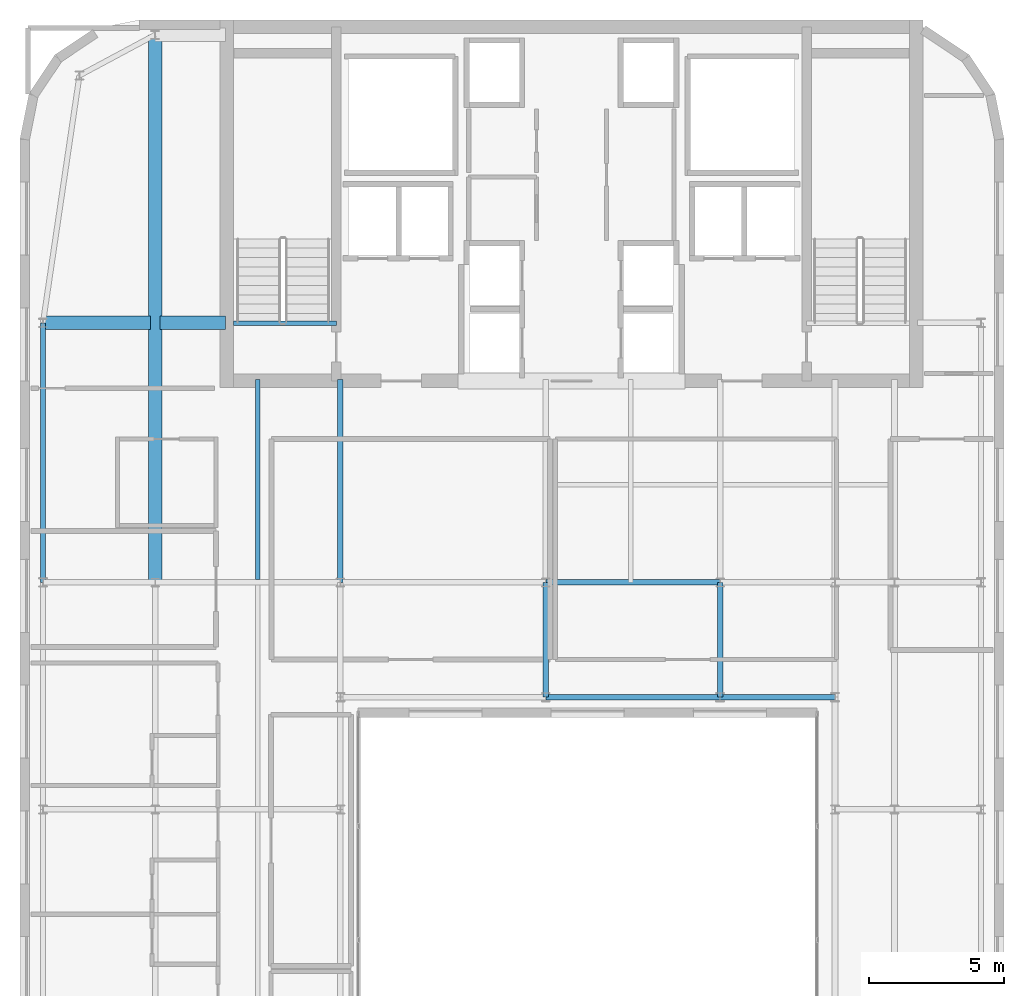
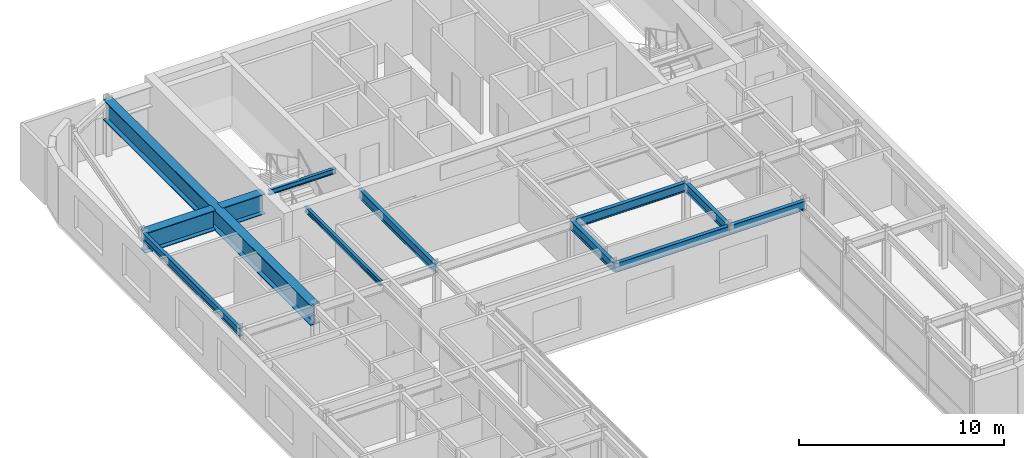
# One storey, part 10 of 18: 12 beams.
"""IFC4 building model written with IfcOpenShell, lengths in metres."""

from ifc_helpers import new_model, si_unit, direction, frame, origin, origin_2d, place, context, subcontext, project, spatial, i_section, extrude, source, transform, mapped, material, material_profile, profile_set, type_object, type_shapes, element, save


model = new_model("IFC4")

# Units and contexts
model_context = context("Model", 3, precision=1e-05, world=origin(), true_north=direction((0.0, 1.0)))
body_context = subcontext(model_context, "Body", "Model", "MODEL_VIEW")
ifc_project = project(units=[si_unit("LENGTHUNIT", "METRE"), si_unit("AREAUNIT", "SQUARE_METRE"), si_unit("VOLUMEUNIT", "CUBIC_METRE"), si_unit("PLANEANGLEUNIT", "RADIAN"), si_unit("MASSUNIT", "GRAM", prefix="KILO")], contexts=[model_context])

# Site, building, storey
site_placement = place(None, origin())
site = spatial("IfcSite", under=ifc_project, at=site_placement, CompositionType="ELEMENT")
building_placement = place(site_placement, origin())
building = spatial("IfcBuilding", under=site, at=building_placement, Name="Tolvann Quenvar Hotel", CompositionType="ELEMENT")
storey_placement = place(building_placement, frame((0.0, 0.0, 245.199951171875)))
storey = spatial("IfcBuildingStorey", under=building, at=storey_placement, Name="L65", CompositionType="ELEMENT", Elevation=245.199951171875)

# Beams
ifc_material = material(Name="Steel Grade 350", Category="steel")
ifc_material_profile_1 = material_profile(ifc_material, i_section(OverallWidth=0.5, OverallDepth=1.199951171875, WebThickness=0.01611328125, FlangeThickness=0.0400390625, at=origin_2d()), Name="1200WB455")
ifc_profile_set_1 = profile_set([ifc_material_profile_1], Name="Steel Grade 350")
beam_type_1 = type_object("IfcBeamType", Name="BM_TG_1200WB455", PredefinedType="USERDEFINED", material=ifc_profile_set_1)
shared_shape_1 = source(origin(), body_context, "Body", "SweptSolid", [
    extrude(i_section(OverallWidth=0.5, OverallDepth=1.199951171875, WebThickness=0.01611328125, FlangeThickness=0.0400390625, at=origin_2d()), origin(), (0.0, 0.0, 1.0), 2.419921875),
])
beam_1_placement = place(storey_placement, frame((7.780029296875, 34.0, 2.77001953125), z_axis=(1.0, 0.0, 0.0), x_axis=(0.0, 1.0, 0.0)))
element("IfcBeam", 1, at=beam_1_placement, inside=storey, type_object=beam_type_1, Name="BM-L65-CTW-MID2", ObjectType="TRANSFER GIRDER", PredefinedType="USERDEFINED", context=body_context, shape_type="MappedRepresentation", body=[
    mapped(shared_shape_1, transform((0.0, 0.0, 0.0), x_axis=(1.0, 0.0, 0.0), y_axis=(0.0, 1.0, 0.0), z_axis=(0.0, 0.0, 1.0), scale=1.0)),
])
ifc_material_profile_2 = material_profile(ifc_material, i_section(OverallWidth=0.166015625, OverallDepth=0.306884765625, WebThickness=0.006591796875, FlangeThickness=0.01171875, FilletRadius=0.011474609375, at=origin_2d()), Name="310UB46")
ifc_profile_set_2 = profile_set([ifc_material_profile_2], Name="Steel Grade 350")
beam_type_2 = type_object("IfcBeamType", Name="BM_JOIST_310UB46", PredefinedType="JOIST", material=ifc_profile_set_2)
shared_shape_2 = source(origin(), body_context, "Body", "SweptSolid", [
    extrude(i_section(OverallWidth=0.166015625, OverallDepth=0.306884765625, WebThickness=0.006591796875, FlangeThickness=0.01171875, FilletRadius=0.011474609375, at=origin_2d()), origin(), (0.0, 0.0, 1.0), 3.800048828125),
])
beam_2_placement = place(storey_placement, frame((10.5, 33.97998046875, 3.216552734375), z_axis=(1.0, 0.0, 0.0), x_axis=(0.0, 1.0, 0.0)))
element("IfcBeam", 2, at=beam_2_placement, inside=storey, type_object=beam_type_2, Name="BM-HDR-STC1-L66", PredefinedType="JOIST", context=body_context, shape_type="MappedRepresentation", body=[
    mapped(shared_shape_2, transform((0.0, 0.0, 0.0), x_axis=(1.0, 0.0, 0.0), y_axis=(0.0, 1.0, 0.0), z_axis=(0.0, 0.0, 1.0), scale=1.0)),
])
shared_shape_3 = source(origin(), body_context, "Body", "SweptSolid", [
    extrude(i_section(OverallWidth=0.5, OverallDepth=1.199951171875, WebThickness=0.01611328125, FlangeThickness=0.0400390625, at=origin_2d()), origin(), (0.0, 0.0, 1.0), 3.969970703125),
])
beam_3_placement = place(storey_placement, frame((3.449951171875, 34.0, 2.77001953125), z_axis=(1.0, 0.0, 0.0), x_axis=(0.0, 1.0, 0.0)))
element("IfcBeam", 3, at=beam_3_placement, inside=storey, type_object=beam_type_1, Name="BM-L65-CTW-MID1", ObjectType="TRANSFER GIRDER", PredefinedType="USERDEFINED", context=body_context, shape_type="MappedRepresentation", body=[
    mapped(shared_shape_3, transform((0.0, 0.0, 0.0), x_axis=(1.0, 0.0, 0.0), y_axis=(0.0, 1.0, 0.0), z_axis=(0.0, 0.0, 1.0), scale=1.0)),
])
ifc_material_profile_3 = material_profile(ifc_material, i_section(OverallWidth=0.19091796875, OverallDepth=0.4599609375, WebThickness=0.010009765625, FlangeThickness=0.01611328125, FilletRadius=0.011474609375, at=origin_2d()), Name="460UB82")
ifc_profile_set_3 = profile_set([ifc_material_profile_3], Name="Steel Grade 350")
beam_type_3 = type_object("IfcBeamType", Name="BM_SPAND_460UB82", PredefinedType="SPANDREL", material=ifc_profile_set_3)
shared_shape_4 = source(origin(), body_context, "Body", "SweptSolid", [
    extrude(i_section(OverallWidth=0.19091796875, OverallDepth=0.4599609375, WebThickness=0.010009765625, FlangeThickness=0.01611328125, FilletRadius=0.011474609375, at=origin_2d()), origin(), (0.0, 0.0, 1.0), 9.60009765625),
])
type_shapes(beam_type_3, [shared_shape_4])
beam_4_placement = place(storey_placement, frame((3.449951171875, 24.39990234375, 3.14013671875), z_axis=(0.0, 1.0, 0.0), x_axis=(-1.0, 0.0, 0.0)))
element("IfcBeam", 4, at=beam_4_placement, inside=storey, type_object=beam_type_3, Name="BM-L65-FLK-W1", PredefinedType="SPANDREL", context=body_context, shape_type="MappedRepresentation", body=[
    mapped(shared_shape_4, transform((0.0, 0.0, 0.0), x_axis=(1.0, 0.0, 0.0), y_axis=(0.0, 1.0, 0.0), z_axis=(0.0, 0.0, 1.0), scale=1.0)),
])
shared_shape_5 = source(origin(), body_context, "Body", "SweptSolid", [
    extrude(i_section(OverallWidth=0.5, OverallDepth=1.199951171875, WebThickness=0.01611328125, FlangeThickness=0.0400390625, at=origin_2d()), origin(), (0.0, 0.0, 1.0), 20.25),
])
type_shapes(beam_type_1, [shared_shape_1, shared_shape_3, shared_shape_5])
beam_5_placement = place(storey_placement, frame((7.60009765625, 24.39990234375, 2.77001953125), z_axis=(0.0, 1.0, 0.0), x_axis=(-1.0, 0.0, 0.0)))
element("IfcBeam", 5, at=beam_5_placement, inside=storey, type_object=beam_type_1, Name="BM-L65-FLK-WC", ObjectType="TRANSFER GIRDER", PredefinedType="USERDEFINED", context=body_context, shape_type="MappedRepresentation", body=[
    mapped(shared_shape_5, transform((0.0, 0.0, 0.0), x_axis=(1.0, 0.0, 0.0), y_axis=(0.0, 1.0, 0.0), z_axis=(0.0, 0.0, 1.0), scale=1.0)),
])
ifc_material_profile_4 = material_profile(ifc_material, i_section(OverallWidth=0.208984375, OverallDepth=0.532958984375, WebThickness=0.01025390625, FlangeThickness=0.015625, FilletRadius=0.013916015625, at=origin_2d()), Name="530UB92")
ifc_profile_set_4 = profile_set([ifc_material_profile_4], Name="Steel Grade 350")
beam_type_4 = type_object("IfcBeamType", Name="BM_GIRD_530UB92", PredefinedType="BEAM", material=ifc_profile_set_4)
shared_shape_6 = source(origin(), body_context, "Body", "SweptSolid", [
    extrude(i_section(OverallWidth=0.208984375, OverallDepth=0.532958984375, WebThickness=0.01025390625, FlangeThickness=0.015625, FilletRadius=0.013916015625, at=origin_2d()), origin(), (0.0, 0.0, 1.0), 6.449951171875),
])
for number, where, z_axis, x_axis, name in (
    (6, (22.050048828125, 20.14990234375, 3.103515625), (1.0, 0.0, 0.0), (0.0, 1.0, 0.0), "BM-L65-EW-4P-E4P-M4P"),
    (7, (22.050048828125, 24.39990234375, 3.103515625), (1.0, 0.0, 0.0), (0.0, 1.0, 0.0), "BM-L65-EW-5-E5-M5"),
):
    element("IfcBeam", number, at=place(storey_placement, frame(where, z_axis=z_axis, x_axis=x_axis)), inside=storey, type_object=beam_type_4, Name=name, PredefinedType="BEAM", context=body_context, shape_type="MappedRepresentation", body=[
        mapped(shared_shape_6, transform((0.0, 0.0, 0.0), x_axis=(1.0, 0.0, 0.0), y_axis=(0.0, 1.0, 0.0), z_axis=(0.0, 0.0, 1.0), scale=1.0)),
    ])
shared_shape_7 = source(origin(), body_context, "Body", "SweptSolid", [
    extrude(i_section(OverallWidth=0.208984375, OverallDepth=0.532958984375, WebThickness=0.01025390625, FlangeThickness=0.015625, FilletRadius=0.013916015625, at=origin_2d()), origin(), (0.0, 0.0, 1.0), 4.25),
])
for number, where, z_axis, x_axis, name in (
    (8, (28.5, 20.14990234375, 3.103515625), (1.0, 0.0, 0.0), (0.0, 1.0, 0.0), "BM-L65-EW-4P-M4P-FP4P"),
    (9, (22.050048828125, 20.14990234375, 3.103515625), (0.0, 1.0, 0.0), (-1.0, 0.0, 0.0), "BM-L65-NS-E4P-E5"),
    (10, (28.5, 20.14990234375, 3.103515625), (0.0, 1.0, 0.0), (-1.0, 0.0, 0.0), "BM-L65-NS-M4P-M5"),
):
    element("IfcBeam", number, at=place(storey_placement, frame(where, z_axis=z_axis, x_axis=x_axis)), inside=storey, type_object=beam_type_4, Name=name, PredefinedType="BEAM", context=body_context, shape_type="MappedRepresentation", body=[
        mapped(shared_shape_7, transform((0.0, 0.0, 0.0), x_axis=(1.0, 0.0, 0.0), y_axis=(0.0, 1.0, 0.0), z_axis=(0.0, 0.0, 1.0), scale=1.0)),
    ])
shared_shape_8 = source(origin(), body_context, "Body", "SweptSolid", [
    extrude(i_section(OverallWidth=0.208984375, OverallDepth=0.532958984375, WebThickness=0.01025390625, FlangeThickness=0.015625, FilletRadius=0.013916015625, at=origin_2d()), origin(), (0.0, 0.0, 1.0), 7.5),
])
type_shapes(beam_type_4, [shared_shape_6, shared_shape_7, shared_shape_8])
beam_6_placement = place(storey_placement, frame((14.449951171875, 24.39990234375, 3.103515625), z_axis=(0.0, 1.0, 0.0), x_axis=(-1.0, 0.0, 0.0)))
element("IfcBeam", 11, at=beam_6_placement, inside=storey, type_object=beam_type_4, Name="BM-L65-CORE-D5", PredefinedType="BEAM", context=body_context, shape_type="MappedRepresentation", body=[
    mapped(shared_shape_8, transform((0.0, 0.0, 0.0), x_axis=(1.0, 0.0, 0.0), y_axis=(0.0, 1.0, 0.0), z_axis=(0.0, 0.0, 1.0), scale=1.0)),
])
shared_shape_9 = source(origin(), body_context, "Body", "SweptSolid", [
    extrude(i_section(OverallWidth=0.166015625, OverallDepth=0.306884765625, WebThickness=0.006591796875, FlangeThickness=0.01171875, FilletRadius=0.011474609375, at=origin_2d()), origin(), (0.0, 0.0, 1.0), 7.4013671875),
])
type_shapes(beam_type_2, [shared_shape_2, shared_shape_9])
beam_7_placement = place(storey_placement, frame((11.39990234375, 24.49853515625, 3.216552734375), z_axis=(0.0, 1.0, 0.0), x_axis=(-1.0, 0.0, 0.0)))
element("IfcBeam", 12, at=beam_7_placement, inside=storey, type_object=beam_type_2, Name="BJ-L65-114-244", PredefinedType="JOIST", context=body_context, shape_type="MappedRepresentation", body=[
    mapped(shared_shape_9, transform((0.0, 0.0, 0.0), x_axis=(1.0, 0.0, 0.0), y_axis=(0.0, 1.0, 0.0), z_axis=(0.0, 0.0, 1.0), scale=1.0)),
])

save(model, "model.ifc")
